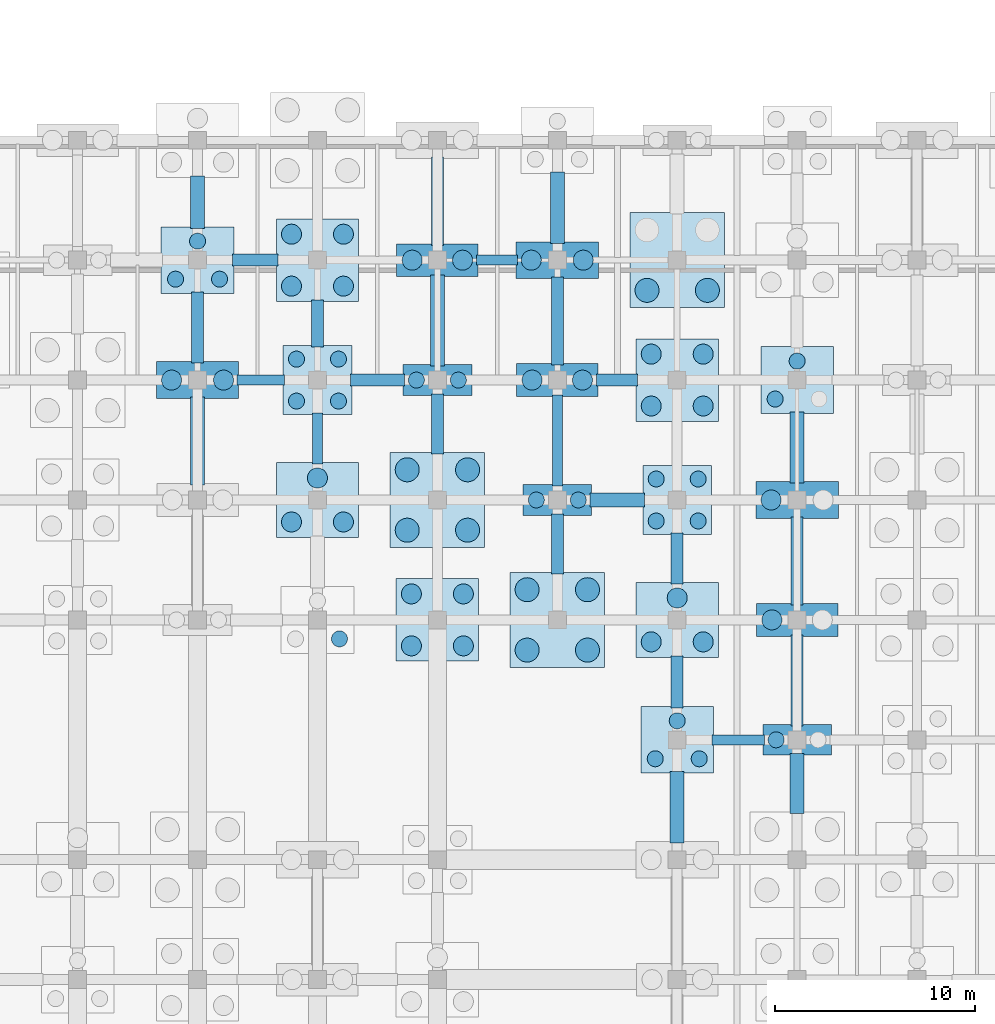
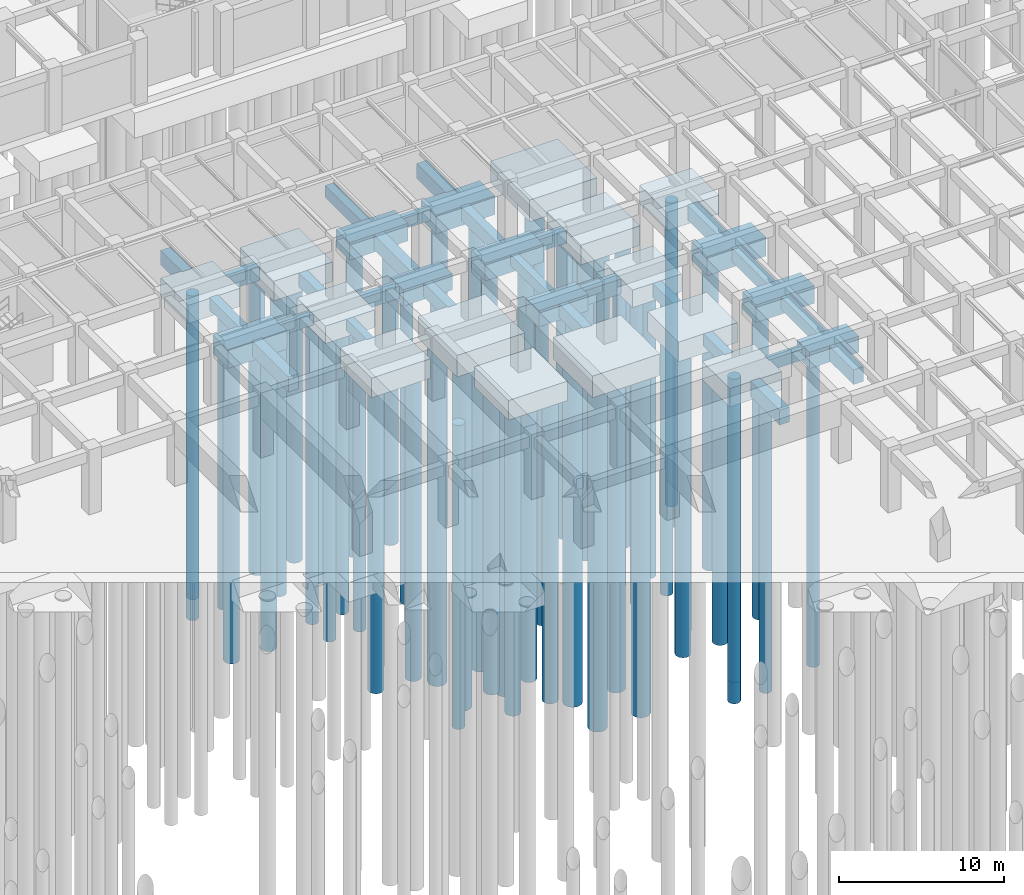
# One storey, part 14 of 54: 60 piles, 48 footings.
"""IFC4 building model written with IfcOpenShell, lengths in metres."""

from ifc_helpers import new_model, si_unit, direction, frame, origin, origin_2d, place, context, subcontext, project, spatial, rectangle, circle, extrude, material, material_profile, profile_set, type_object, element, save


model = new_model("IFC4")

# Units and contexts
model_context = context("Model", 3, precision=1e-05, world=origin(), true_north=direction((0.0, 1.0)))
body_context = subcontext(model_context, "Body", "Model", "MODEL_VIEW")
ifc_project = project(units=[si_unit("LENGTHUNIT", "METRE"), si_unit("AREAUNIT", "SQUARE_METRE"), si_unit("VOLUMEUNIT", "CUBIC_METRE"), si_unit("PLANEANGLEUNIT", "RADIAN"), si_unit("MASSUNIT", "GRAM", prefix="KILO"), si_unit("THERMODYNAMICTEMPERATUREUNIT", "KELVIN"), si_unit("POWERUNIT", "WATT")], contexts=[model_context])

# Site, building, storey
site_placement = place(None, origin())
site = spatial("IfcSite", under=ifc_project, at=site_placement, CompositionType="ELEMENT")
building_placement = place(site_placement, origin())
building = spatial("IfcBuilding", under=site, at=building_placement, Name="Phaisarnlok Congress Hotel", CompositionType="ELEMENT")
storey_placement = place(building_placement, frame((0.0, 0.0, -4.800048828125)))
storey = spatial("IfcBuildingStorey", under=building, at=storey_placement, Name="B01", CompositionType="ELEMENT", Elevation=-4.800048828125)

# Footings
ifc_material_1 = material(Name="Concrete C40/50", Category="concrete")
footing_type_1 = type_object("IfcFootingType", Name="CAP-2P-A", PredefinedType="PILE_CAP", material=ifc_material_1)
for number, where, z_axis, x_axis, name in (
    (1, (108.0, 84.0, -1.69970703125), (0.0, 0.0, 1.0), (1.0, 0.0, 0.0), "Pile cap PC-01 at (108,84)"),
    (2, (114.0, 78.0, -1.69970703125), (0.0, 0.0, 1.0), (1.0, 0.0, 0.0), "Pile cap PC-01 at (114,78)"),
    (3, (126.0, 66.0, -1.69970703125), (0.0, 0.0, 1.0), (1.0, 0.0, 0.0), "Pile cap PC-01 at (126,66)"),
):
    element("IfcFooting", number, at=place(storey_placement, frame(where, z_axis=z_axis, x_axis=x_axis)), inside=storey, type_object=footing_type_1, Name=name, PredefinedType="PILE_CAP", context=body_context, shape_type="SweptSolid", body=[
        extrude(rectangle(XDim=3.43994140625, YDim=1.5400390625, at=origin_2d()), origin(), (0.0, 0.0, 1.0), 1.199951171875),
    ])
footing_type_2 = type_object("IfcFootingType", Name="CAP-2P-B", PredefinedType="PILE_CAP", material=ifc_material_1)
for number, where, z_axis, x_axis, name in (
    (4, (108.0, 90.0, -1.7998046875), (0.0, 0.0, 1.0), (1.0, 0.0, 0.0), "Pile cap PC-02 at (108,90)"),
    (5, (114.0, 84.0, -1.7998046875), (0.0, 0.0, 1.0), (1.0, 0.0, 0.0), "Pile cap PC-02 at (114,84)"),
    (6, (126.0, 72.0, -1.7998046875), (0.0, 0.0, 1.0), (1.0, 0.0, 0.0), "Pile cap PC-02 at (126,72)"),
):
    element("IfcFooting", number, at=place(storey_placement, frame(where, z_axis=z_axis, x_axis=x_axis)), inside=storey, type_object=footing_type_2, Name=name, PredefinedType="PILE_CAP", context=body_context, shape_type="SweptSolid", body=[
        extrude(rectangle(XDim=4.080078125, YDim=1.639892578125, at=origin_2d()), origin(), (0.0, 0.0, 1.0), 1.300048828125),
    ])
footing_type_3 = type_object("IfcFootingType", Name="CAP-2P-C", PredefinedType="PILE_CAP", material=ifc_material_1)
for number, where, z_axis, x_axis, name in (
    (7, (96.0, 84.0, -1.89990234375), (0.0, 0.0, 1.0), (1.0, 0.0, 0.0), "Pile cap PC-03 at (96,84)"),
    (8, (114.0, 90.0, -1.89990234375), (0.0, 0.0, 1.0), (1.0, 0.0, 0.0), "Pile cap PC-03 at (114,90)"),
    (9, (126.0, 78.0, -1.89990234375), (0.0, 0.0, 1.0), (1.0, 0.0, 0.0), "Pile cap PC-03 at (126,78)"),
):
    element("IfcFooting", number, at=place(storey_placement, frame(where, z_axis=z_axis, x_axis=x_axis)), inside=storey, type_object=footing_type_3, Name=name, PredefinedType="PILE_CAP", context=body_context, shape_type="SweptSolid", body=[
        extrude(rectangle(XDim=4.1201171875, YDim=1.840087890625, at=origin_2d()), origin(), (0.0, 0.0, 1.0), 1.39990234375),
    ])
footing_type_4 = type_object("IfcFootingType", Name="CAP-3P-A", PredefinedType="PILE_CAP", material=ifc_material_1)
for number, where, z_axis, x_axis, name in (
    (10, (96.0, 90.0, -1.85009765625), (0.0, 0.0, 1.0), (1.0, 0.0, 0.0), "Pile cap PC-04 at (96,90)"),
    (11, (120.0, 66.0, -1.85009765625), (0.0, 0.0, 1.0), (1.0, 0.0, 0.0), "Pile cap PC-04 at (120,66)"),
    (12, (126.0, 84.0, -1.85009765625), (0.0, 0.0, 1.0), (1.0, 0.0, 0.0), "Pile cap PC-04 at (126,84)"),
):
    element("IfcFooting", number, at=place(storey_placement, frame(where, z_axis=z_axis, x_axis=x_axis)), inside=storey, type_object=footing_type_4, Name=name, PredefinedType="PILE_CAP", context=body_context, shape_type="SweptSolid", body=[
        extrude(rectangle(XDim=3.639892578125, YDim=3.340087890625, at=origin_2d()), origin(), (0.0, 0.0, 1.0), 1.35009765625),
    ])
footing_type_5 = type_object("IfcFootingType", Name="CAP-3P-B", PredefinedType="PILE_CAP", material=ifc_material_1)
for number, where, z_axis, x_axis, name in (
    (13, (102.0, 78.0, -1.94970703125), (0.0, 0.0, 1.0), (1.0, 0.0, 0.0), "Pile cap PC-05 at (102,78)"),
    (14, (120.0, 72.0, -1.94970703125), (0.0, 0.0, 1.0), (1.0, 0.0, 0.0), "Pile cap PC-05 at (120,72)"),
):
    element("IfcFooting", number, at=place(storey_placement, frame(where, z_axis=z_axis, x_axis=x_axis)), inside=storey, type_object=footing_type_5, Name=name, PredefinedType="PILE_CAP", context=body_context, shape_type="SweptSolid", body=[
        extrude(rectangle(XDim=4.1201171875, YDim=3.739990234375, at=origin_2d()), origin(), (0.0, 0.0, 1.0), 1.449951171875),
    ])
footing_type_6 = type_object("IfcFootingType", Name="CAP-4P-A", PredefinedType="PILE_CAP", material=ifc_material_1)
for number, where, z_axis, x_axis, name in (
    (15, (102.0, 84.0, -1.7998046875), (0.0, 0.0, 1.0), (1.0, 0.0, 0.0), "Pile cap PC-06 at (102,84)"),
    (16, (120.0, 78.0, -1.7998046875), (0.0, 0.0, 1.0), (1.0, 0.0, 0.0), "Pile cap PC-06 at (120,78)"),
):
    element("IfcFooting", number, at=place(storey_placement, frame(where, z_axis=z_axis, x_axis=x_axis)), inside=storey, type_object=footing_type_6, Name=name, PredefinedType="PILE_CAP", context=body_context, shape_type="SweptSolid", body=[
        extrude(rectangle(XDim=3.43994140625, YDim=3.43994140625, at=origin_2d()), origin(), (0.0, 0.0, 1.0), 1.300048828125),
    ])
footing_type_7 = type_object("IfcFootingType", Name="CAP-4P-B", PredefinedType="PILE_CAP", material=ifc_material_1)
for number, where, z_axis, x_axis, name in (
    (17, (102.0, 90.0, -1.94970703125), (0.0, 0.0, 1.0), (1.0, 0.0, 0.0), "Pile cap PC-07 at (102,90)"),
    (18, (108.0, 72.0, -1.94970703125), (0.0, 0.0, 1.0), (1.0, 0.0, 0.0), "Pile cap PC-07 at (108,72)"),
    (19, (120.0, 84.0, -1.94970703125), (0.0, 0.0, 1.0), (1.0, 0.0, 0.0), "Pile cap PC-07 at (120,84)"),
):
    element("IfcFooting", number, at=place(storey_placement, frame(where, z_axis=z_axis, x_axis=x_axis)), inside=storey, type_object=footing_type_7, Name=name, PredefinedType="PILE_CAP", context=body_context, shape_type="SweptSolid", body=[
        extrude(rectangle(XDim=4.1201171875, YDim=4.1201171875, at=origin_2d()), origin(), (0.0, 0.0, 1.0), 1.449951171875),
    ])
footing_type_8 = type_object("IfcFootingType", Name="CAP-4P-C", PredefinedType="PILE_CAP", material=ifc_material_1)
for number, where, z_axis, x_axis, name in (
    (20, (108.0, 78.0, -2.10009765625), (0.0, 0.0, 1.0), (1.0, 0.0, 0.0), "Pile cap PC-08 at (108,78)"),
    (21, (114.0, 72.0, -2.10009765625), (0.0, 0.0, 1.0), (1.0, 0.0, 0.0), "Pile cap PC-08 at (114,72)"),
    (22, (120.0, 90.0, -2.10009765625), (0.0, 0.0, 1.0), (1.0, 0.0, 0.0), "Pile cap PC-08 at (120,90)"),
):
    element("IfcFooting", number, at=place(storey_placement, frame(where, z_axis=z_axis, x_axis=x_axis)), inside=storey, type_object=footing_type_8, Name=name, PredefinedType="PILE_CAP", context=body_context, shape_type="SweptSolid", body=[
        extrude(rectangle(XDim=4.719970703125, YDim=4.760009765625, at=origin_2d()), origin(), (0.0, 0.0, 1.0), 1.60009765625),
    ])
ifc_material_profile_1 = material_profile(ifc_material_1, rectangle(XDim=0.5, YDim=0.800048828125, at=origin_2d()), Name="FB-500x800")
ifc_profile_set_1 = profile_set([ifc_material_profile_1], Name="Concrete C40/50")
footing_type_9 = type_object("IfcFootingType", Name="FB-500x800", PredefinedType="FOOTING_BEAM", material=ifc_profile_set_1)
footing_1_placement = place(storey_placement, frame((97.985107421875, 84.0, -0.89990234375), z_axis=(1.0, 0.0, 0.0), x_axis=(0.0, 1.0, 0.0)))
element("IfcFooting", 23, at=footing_1_placement, inside=storey, type_object=footing_type_9, Name="Ground tie beam FB-01", PredefinedType="FOOTING_BEAM", context=body_context, shape_type="SweptSolid", body=[
    extrude(rectangle(XDim=0.5, YDim=0.800048828125, at=origin_2d()), origin(), (0.0, 0.0, 1.0), 2.369873046875),
])
footing_2_placement = place(storey_placement, frame((102.0, 79.794921875, -0.89990234375), z_axis=(0.0, 1.0, 0.0), x_axis=(-1.0, 0.0, 0.0)))
element("IfcFooting", 24, at=footing_2_placement, inside=storey, type_object=footing_type_9, Name="Ground tie beam FB-01", PredefinedType="FOOTING_BEAM", context=body_context, shape_type="SweptSolid", body=[
    extrude(rectangle(XDim=0.5, YDim=0.800048828125, at=origin_2d()), origin(), (0.0, 0.0, 1.0), 2.56005859375),
])
footing_3_placement = place(storey_placement, frame((109.965087890625, 90.0, -0.89990234375), z_axis=(1.0, 0.0, 0.0), x_axis=(0.0, 1.0, 0.0)))
element("IfcFooting", 25, at=footing_3_placement, inside=storey, type_object=footing_type_9, Name="Ground tie beam FB-01", PredefinedType="FOOTING_BEAM", context=body_context, shape_type="SweptSolid", body=[
    extrude(rectangle(XDim=0.5, YDim=0.800048828125, at=origin_2d()), origin(), (0.0, 0.0, 1.0), 2.0498046875),
])
footing_4_placement = place(storey_placement, frame((114.0, 78.695068359375, -0.89990234375), z_axis=(0.0, 1.0, 0.0), x_axis=(-1.0, 0.0, 0.0)))
element("IfcFooting", 26, at=footing_4_placement, inside=storey, type_object=footing_type_9, Name="Ground tie beam FB-01", PredefinedType="FOOTING_BEAM", context=body_context, shape_type="SweptSolid", body=[
    extrude(rectangle(XDim=0.5, YDim=0.800048828125, at=origin_2d()), origin(), (0.0, 0.0, 1.0), 4.559814453125),
])
footing_5_placement = place(storey_placement, frame((121.7451171875, 66.0, -0.89990234375), z_axis=(1.0, 0.0, 0.0), x_axis=(0.0, 1.0, 0.0)))
element("IfcFooting", 27, at=footing_5_placement, inside=storey, type_object=footing_type_9, Name="Ground tie beam FB-01", PredefinedType="FOOTING_BEAM", context=body_context, shape_type="SweptSolid", body=[
    extrude(rectangle(XDim=0.5, YDim=0.800048828125, at=origin_2d()), origin(), (0.0, 0.0, 1.0), 2.60986328125),
])
ifc_material_profile_2 = material_profile(ifc_material_1, rectangle(XDim=0.60009765625, YDim=1.0, at=origin_2d()), Name="FB-600x1000")
ifc_profile_set_2 = profile_set([ifc_material_profile_2], Name="Concrete C40/50")
footing_type_10 = type_object("IfcFootingType", Name="FB-600x1000", PredefinedType="FOOTING_BEAM", material=ifc_profile_set_2)
footing_6_placement = place(storey_placement, frame((97.7451171875, 90.0, -1.0), z_axis=(1.0, 0.0, 0.0), x_axis=(0.0, 1.0, 0.0)))
element("IfcFooting", 28, at=footing_6_placement, inside=storey, type_object=footing_type_10, Name="Ground tie beam FB-03", PredefinedType="FOOTING_BEAM", context=body_context, shape_type="SweptSolid", body=[
    extrude(rectangle(XDim=0.60009765625, YDim=1.0, at=origin_2d()), origin(), (0.0, 0.0, 1.0), 2.269775390625),
])
footing_7_placement = place(storey_placement, frame((102.0, 85.64501953125, -1.0), z_axis=(0.0, 1.0, 0.0), x_axis=(-1.0, 0.0, 0.0)))
element("IfcFooting", 29, at=footing_7_placement, inside=storey, type_object=footing_type_10, Name="Ground tie beam FB-03", PredefinedType="FOOTING_BEAM", context=body_context, shape_type="SweptSolid", body=[
    extrude(rectangle(XDim=0.60009765625, YDim=1.0, at=origin_2d()), origin(), (0.0, 0.0, 1.0), 2.369873046875),
])
for number, where, z_axis, x_axis, name in (
    (30, (108.0, 80.304931640625, -1.0), (0.0, 1.0, 0.0), (-1.0, 0.0, 0.0), "Ground tie beam FB-03"),
    (31, (114.0, 74.304931640625, -1.0), (0.0, 1.0, 0.0), (-1.0, 0.0, 0.0), "Ground tie beam FB-03"),
):
    element("IfcFooting", number, at=place(storey_placement, frame(where, z_axis=z_axis, x_axis=x_axis)), inside=storey, type_object=footing_type_10, Name=name, PredefinedType="FOOTING_BEAM", context=body_context, shape_type="SweptSolid", body=[
        extrude(rectangle(XDim=0.60009765625, YDim=1.0, at=origin_2d()), origin(), (0.0, 0.0, 1.0), 3.0),
    ])
footing_8_placement = place(storey_placement, frame((114.0, 84.7451171875, -1.0), z_axis=(0.0, 1.0, 0.0), x_axis=(-1.0, 0.0, 0.0)))
element("IfcFooting", 32, at=footing_8_placement, inside=storey, type_object=footing_type_10, Name="Ground tie beam FB-03", PredefinedType="FOOTING_BEAM", context=body_context, shape_type="SweptSolid", body=[
    extrude(rectangle(XDim=0.60009765625, YDim=1.0, at=origin_2d()), origin(), (0.0, 0.0, 1.0), 4.409912109375),
])
footing_9_placement = place(storey_placement, frame((120.0, 73.794921875, -1.0), z_axis=(0.0, 1.0, 0.0), x_axis=(-1.0, 0.0, 0.0)))
element("IfcFooting", 33, at=footing_9_placement, inside=storey, type_object=footing_type_10, Name="Ground tie beam FB-03", PredefinedType="FOOTING_BEAM", context=body_context, shape_type="SweptSolid", body=[
    extrude(rectangle(XDim=0.60009765625, YDim=1.0, at=origin_2d()), origin(), (0.0, 0.0, 1.0), 2.56005859375),
])
footing_10_placement = place(storey_placement, frame((126.0, 72.7451171875, -1.0), z_axis=(0.0, 1.0, 0.0), x_axis=(-1.0, 0.0, 0.0)))
element("IfcFooting", 34, at=footing_10_placement, inside=storey, type_object=footing_type_10, Name="Ground tie beam FB-03", PredefinedType="FOOTING_BEAM", context=body_context, shape_type="SweptSolid", body=[
    extrude(rectangle(XDim=0.60009765625, YDim=1.0, at=origin_2d()), origin(), (0.0, 0.0, 1.0), 4.409912109375),
])
ifc_material_profile_3 = material_profile(ifc_material_1, rectangle(XDim=0.60009765625, YDim=0.89990234375, at=origin_2d()), Name="FB-600x900")
ifc_profile_set_3 = profile_set([ifc_material_profile_3], Name="Concrete C40/50")
footing_type_11 = type_object("IfcFootingType", Name="FB-600x900", PredefinedType="FOOTING_BEAM", material=ifc_profile_set_3)
footing_11_placement = place(storey_placement, frame((96.0, 84.844970703125, -0.949951171875), z_axis=(0.0, 1.0, 0.0), x_axis=(-1.0, 0.0, 0.0)))
element("IfcFooting", 35, at=footing_11_placement, inside=storey, type_object=footing_type_11, Name="Ground tie beam FB-02", PredefinedType="FOOTING_BEAM", context=body_context, shape_type="SweptSolid", body=[
    extrude(rectangle(XDim=0.60009765625, YDim=0.89990234375, at=origin_2d()), origin(), (0.0, 0.0, 1.0), 3.56005859375),
])
footing_12_placement = place(storey_placement, frame((103.64501953125, 84.0, -0.949951171875), z_axis=(1.0, 0.0, 0.0), x_axis=(0.0, 1.0, 0.0)))
element("IfcFooting", 36, at=footing_12_placement, inside=storey, type_object=footing_type_11, Name="Ground tie beam FB-02", PredefinedType="FOOTING_BEAM", context=body_context, shape_type="SweptSolid", body=[
    extrude(rectangle(XDim=0.60009765625, YDim=0.89990234375, at=origin_2d()), origin(), (0.0, 0.0, 1.0), 2.7099609375),
])
footing_13_placement = place(storey_placement, frame((108.0, 90.7451171875, -0.949951171875), z_axis=(0.0, 1.0, 0.0), x_axis=(-1.0, 0.0, 0.0)))
element("IfcFooting", 37, at=footing_13_placement, inside=storey, type_object=footing_type_11, Name="Ground tie beam FB-02", PredefinedType="FOOTING_BEAM", context=body_context, shape_type="SweptSolid", body=[
    extrude(rectangle(XDim=0.60009765625, YDim=0.89990234375, at=origin_2d()), origin(), (0.0, 0.0, 1.0), 4.409912109375),
])
footing_14_placement = place(storey_placement, frame((115.965087890625, 84.0, -0.949951171875), z_axis=(1.0, 0.0, 0.0), x_axis=(0.0, 1.0, 0.0)))
element("IfcFooting", 38, at=footing_14_placement, inside=storey, type_object=footing_type_11, Name="Ground tie beam FB-02", PredefinedType="FOOTING_BEAM", context=body_context, shape_type="SweptSolid", body=[
    extrude(rectangle(XDim=0.60009765625, YDim=0.89990234375, at=origin_2d()), origin(), (0.0, 0.0, 1.0), 2.0498046875),
])
footing_15_placement = place(storey_placement, frame((120.0, 67.594970703125, -0.949951171875), z_axis=(0.0, 1.0, 0.0), x_axis=(-1.0, 0.0, 0.0)))
element("IfcFooting", 39, at=footing_15_placement, inside=storey, type_object=footing_type_11, Name="Ground tie beam FB-02", PredefinedType="FOOTING_BEAM", context=body_context, shape_type="SweptSolid", body=[
    extrude(rectangle(XDim=0.60009765625, YDim=0.89990234375, at=origin_2d()), origin(), (0.0, 0.0, 1.0), 2.610107421875),
])
footing_16_placement = place(storey_placement, frame((126.0, 66.695068359375, -0.949951171875), z_axis=(0.0, 1.0, 0.0), x_axis=(-1.0, 0.0, 0.0)))
element("IfcFooting", 40, at=footing_16_placement, inside=storey, type_object=footing_type_11, Name="Ground tie beam FB-02", PredefinedType="FOOTING_BEAM", context=body_context, shape_type="SweptSolid", body=[
    extrude(rectangle(XDim=0.60009765625, YDim=0.89990234375, at=origin_2d()), origin(), (0.0, 0.0, 1.0), 4.559814453125),
])
ifc_material_profile_4 = material_profile(ifc_material_1, rectangle(XDim=0.699951171875, YDim=1.10009765625, at=origin_2d()), Name="FB-700x1100")
ifc_profile_set_4 = profile_set([ifc_material_profile_4], Name="Concrete C40/50")
footing_type_12 = type_object("IfcFootingType", Name="FB-700x1100", PredefinedType="FOOTING_BEAM", material=ifc_profile_set_4)
footing_17_placement = place(storey_placement, frame((96.0, 78.7451171875, -1.050048828125), z_axis=(0.0, 1.0, 0.0), x_axis=(-1.0, 0.0, 0.0)))
element("IfcFooting", 41, at=footing_17_placement, inside=storey, type_object=footing_type_12, Name="Ground tie beam FB-04", PredefinedType="FOOTING_BEAM", context=body_context, shape_type="SweptSolid", body=[
    extrude(rectangle(XDim=0.699951171875, YDim=1.10009765625, at=origin_2d()), origin(), (0.0, 0.0, 1.0), 4.409912109375),
])
footing_18_placement = place(storey_placement, frame((96.0, 91.594970703125, -1.050048828125), z_axis=(0.0, 1.0, 0.0), x_axis=(-1.0, 0.0, 0.0)))
element("IfcFooting", 42, at=footing_18_placement, inside=storey, type_object=footing_type_12, Name="Ground tie beam FB-04", PredefinedType="FOOTING_BEAM", context=body_context, shape_type="SweptSolid", body=[
    extrude(rectangle(XDim=0.699951171875, YDim=1.10009765625, at=origin_2d()), origin(), (0.0, 0.0, 1.0), 2.610107421875),
])
footing_19_placement = place(storey_placement, frame((108.0, 84.695068359375, -1.050048828125), z_axis=(0.0, 1.0, 0.0), x_axis=(-1.0, 0.0, 0.0)))
element("IfcFooting", 43, at=footing_19_placement, inside=storey, type_object=footing_type_12, Name="Ground tie beam FB-04", PredefinedType="FOOTING_BEAM", context=body_context, shape_type="SweptSolid", body=[
    extrude(rectangle(XDim=0.699951171875, YDim=1.10009765625, at=origin_2d()), origin(), (0.0, 0.0, 1.0), 4.559814453125),
])
footing_20_placement = place(storey_placement, frame((115.64501953125, 78.0, -1.050048828125), z_axis=(1.0, 0.0, 0.0), x_axis=(0.0, 1.0, 0.0)))
element("IfcFooting", 44, at=footing_20_placement, inside=storey, type_object=footing_type_12, Name="Ground tie beam FB-04", PredefinedType="FOOTING_BEAM", context=body_context, shape_type="SweptSolid", body=[
    extrude(rectangle(XDim=0.699951171875, YDim=1.10009765625, at=origin_2d()), origin(), (0.0, 0.0, 1.0), 2.7099609375),
])
for number, where, z_axis, x_axis, name in (
    (45, (114.0, 90.844970703125, -1.050048828125), (0.0, 1.0, 0.0), (-1.0, 0.0, 0.0), "Ground tie beam FB-04"),
    (46, (120.0, 60.844970703125, -1.050048828125), (0.0, 1.0, 0.0), (-1.0, 0.0, 0.0), "Ground tie beam FB-04"),
):
    element("IfcFooting", number, at=place(storey_placement, frame(where, z_axis=z_axis, x_axis=x_axis)), inside=storey, type_object=footing_type_12, Name=name, PredefinedType="FOOTING_BEAM", context=body_context, shape_type="SweptSolid", body=[
        extrude(rectangle(XDim=0.699951171875, YDim=1.10009765625, at=origin_2d()), origin(), (0.0, 0.0, 1.0), 3.56005859375),
    ])
footing_21_placement = place(storey_placement, frame((126.0, 62.304931640625, -1.050048828125), z_axis=(0.0, 1.0, 0.0), x_axis=(-1.0, 0.0, 0.0)))
element("IfcFooting", 47, at=footing_21_placement, inside=storey, type_object=footing_type_12, Name="Ground tie beam FB-04", PredefinedType="FOOTING_BEAM", context=body_context, shape_type="SweptSolid", body=[
    extrude(rectangle(XDim=0.699951171875, YDim=1.10009765625, at=origin_2d()), origin(), (0.0, 0.0, 1.0), 3.0),
])
footing_22_placement = place(storey_placement, frame((126.0, 78.844970703125, -1.050048828125), z_axis=(0.0, 1.0, 0.0), x_axis=(-1.0, 0.0, 0.0)))
element("IfcFooting", 48, at=footing_22_placement, inside=storey, type_object=footing_type_12, Name="Ground tie beam FB-04", PredefinedType="FOOTING_BEAM", context=body_context, shape_type="SweptSolid", body=[
    extrude(rectangle(XDim=0.699951171875, YDim=1.10009765625, at=origin_2d()), origin(), (0.0, 0.0, 1.0), 3.56005859375),
])

# Piles
ifc_material_2 = material(Name="Concrete C35/45", Category="concrete")
ifc_material_profile_5 = material_profile(ifc_material_2, circle(Radius=0.5, at=origin_2d()), Name="BORED PILE D1000")
ifc_profile_set_5 = profile_set([ifc_material_profile_5], Name="Concrete C35/45")
pile_type_1 = type_object("IfcPileType", Name="PILE-D1000", PredefinedType="BORED", material=ifc_profile_set_5)
for number, where, z_axis, x_axis, name in (
    (49, (94.699951171875, 84.0, -1.800048828125), (0.0, 0.0, -1.0), (1.0, 0.0, 0.0), "Bored pile PL-02 (FTG-B01-096-084-1)"),
    (50, (97.300048828125, 84.0, -1.800048828125), (0.0, 0.0, -1.0), (1.0, 0.0, 0.0), "Bored pile PL-02 (FTG-B01-096-084-2)"),
):
    element("IfcPile", number, at=place(storey_placement, frame(where, z_axis=z_axis, x_axis=x_axis)), inside=storey, type_object=pile_type_1, Name=name, PredefinedType="BORED", context=body_context, shape_type="SweptSolid", body=[
        extrude(circle(Radius=0.5, at=origin_2d()), origin(), (0.0, 0.0, 1.0), 22.39990234375),
    ])
for number, where, z_axis, x_axis, name in (
    (51, (100.699951171875, 76.89990234375, -1.849853515625), (0.0, 0.0, -1.0), (1.0, 0.0, 0.0), "Bored pile PL-02 (FTG-B01-102-078-1)"),
    (52, (103.300048828125, 76.89990234375, -1.849853515625), (0.0, 0.0, -1.0), (1.0, 0.0, 0.0), "Bored pile PL-02 (FTG-B01-102-078-2)"),
    (53, (102.0, 79.10009765625, -1.849853515625), (0.0, 0.0, -1.0), (1.0, 0.0, 0.0), "Bored pile PL-02 (FTG-B01-102-078-3)"),
    (54, (100.699951171875, 88.699951171875, -1.849853515625), (0.0, 0.0, -1.0), (1.0, 0.0, 0.0), "Bored pile PL-02 (FTG-B01-102-090-1)"),
    (55, (103.300048828125, 88.699951171875, -1.849853515625), (0.0, 0.0, -1.0), (1.0, 0.0, 0.0), "Bored pile PL-02 (FTG-B01-102-090-2)"),
    (56, (100.699951171875, 91.300048828125, -1.849853515625), (0.0, 0.0, -1.0), (1.0, 0.0, 0.0), "Bored pile PL-02 (FTG-B01-102-090-3)"),
    (57, (103.300048828125, 91.300048828125, -1.849853515625), (0.0, 0.0, -1.0), (1.0, 0.0, 0.0), "Bored pile PL-02 (FTG-B01-102-090-4)"),
    (58, (106.699951171875, 70.699951171875, -1.849853515625), (0.0, 0.0, -1.0), (1.0, 0.0, 0.0), "Bored pile PL-02 (FTG-B01-108-072-1)"),
    (59, (109.300048828125, 70.699951171875, -1.849853515625), (0.0, 0.0, -1.0), (1.0, 0.0, 0.0), "Bored pile PL-02 (FTG-B01-108-072-2)"),
    (60, (106.699951171875, 73.300048828125, -1.849853515625), (0.0, 0.0, -1.0), (1.0, 0.0, 0.0), "Bored pile PL-02 (FTG-B01-108-072-3)"),
    (61, (109.300048828125, 73.300048828125, -1.849853515625), (0.0, 0.0, -1.0), (1.0, 0.0, 0.0), "Bored pile PL-02 (FTG-B01-108-072-4)"),
):
    element("IfcPile", number, at=place(storey_placement, frame(where, z_axis=z_axis, x_axis=x_axis)), inside=storey, type_object=pile_type_1, Name=name, PredefinedType="BORED", context=body_context, shape_type="SweptSolid", body=[
        extrude(circle(Radius=0.5, at=origin_2d()), origin(), (0.0, 0.0, 1.0), 22.35009765625),
    ])
for number, where, z_axis, x_axis, name in (
    (62, (106.739990234375, 90.0, -1.699951171875), (0.0, 0.0, -1.0), (1.0, 0.0, 0.0), "Bored pile PL-02 (FTG-B01-108-090-1)"),
    (63, (109.260009765625, 90.0, -1.699951171875), (0.0, 0.0, -1.0), (1.0, 0.0, 0.0), "Bored pile PL-02 (FTG-B01-108-090-2)"),
    (64, (112.739990234375, 84.0, -1.699951171875), (0.0, 0.0, -1.0), (1.0, 0.0, 0.0), "Bored pile PL-02 (FTG-B01-114-084-1)"),
    (65, (115.260009765625, 84.0, -1.699951171875), (0.0, 0.0, -1.0), (1.0, 0.0, 0.0), "Bored pile PL-02 (FTG-B01-114-084-2)"),
):
    element("IfcPile", number, at=place(storey_placement, frame(where, z_axis=z_axis, x_axis=x_axis)), inside=storey, type_object=pile_type_1, Name=name, PredefinedType="BORED", context=body_context, shape_type="SweptSolid", body=[
        extrude(circle(Radius=0.5, at=origin_2d()), origin(), (0.0, 0.0, 1.0), 22.5),
    ])
for number, where, z_axis, x_axis, name in (
    (66, (112.699951171875, 90.0, -1.800048828125), (0.0, 0.0, -1.0), (1.0, 0.0, 0.0), "Bored pile PL-02 (FTG-B01-114-090-1)"),
    (67, (115.300048828125, 90.0, -1.800048828125), (0.0, 0.0, -1.0), (1.0, 0.0, 0.0), "Bored pile PL-02 (FTG-B01-114-090-2)"),
):
    element("IfcPile", number, at=place(storey_placement, frame(where, z_axis=z_axis, x_axis=x_axis)), inside=storey, type_object=pile_type_1, Name=name, PredefinedType="BORED", context=body_context, shape_type="SweptSolid", body=[
        extrude(circle(Radius=0.5, at=origin_2d()), origin(), (0.0, 0.0, 1.0), 22.39990234375),
    ])
for number, where, z_axis, x_axis, name in (
    (68, (118.699951171875, 70.89990234375, -1.849853515625), (0.0, 0.0, -1.0), (1.0, 0.0, 0.0), "Bored pile PL-02 (FTG-B01-120-072-1)"),
    (69, (121.300048828125, 70.89990234375, -1.849853515625), (0.0, 0.0, -1.0), (1.0, 0.0, 0.0), "Bored pile PL-02 (FTG-B01-120-072-2)"),
    (70, (120.0, 73.10009765625, -1.849853515625), (0.0, 0.0, -1.0), (1.0, 0.0, 0.0), "Bored pile PL-02 (FTG-B01-120-072-3)"),
    (71, (118.699951171875, 82.699951171875, -1.849853515625), (0.0, 0.0, -1.0), (1.0, 0.0, 0.0), "Bored pile PL-02 (FTG-B01-120-084-1)"),
    (72, (121.300048828125, 82.699951171875, -1.849853515625), (0.0, 0.0, -1.0), (1.0, 0.0, 0.0), "Bored pile PL-02 (FTG-B01-120-084-2)"),
    (73, (118.699951171875, 85.300048828125, -1.849853515625), (0.0, 0.0, -1.0), (1.0, 0.0, 0.0), "Bored pile PL-02 (FTG-B01-120-084-3)"),
    (74, (121.300048828125, 85.300048828125, -1.849853515625), (0.0, 0.0, -1.0), (1.0, 0.0, 0.0), "Bored pile PL-02 (FTG-B01-120-084-4)"),
):
    element("IfcPile", number, at=place(storey_placement, frame(where, z_axis=z_axis, x_axis=x_axis)), inside=storey, type_object=pile_type_1, Name=name, PredefinedType="BORED", context=body_context, shape_type="SweptSolid", body=[
        extrude(circle(Radius=0.5, at=origin_2d()), origin(), (0.0, 0.0, 1.0), 22.35009765625),
    ])
pile_1_placement = place(storey_placement, frame((124.739990234375, 72.0, -1.699951171875), z_axis=(0.0, 0.0, -1.0), x_axis=(1.0, 0.0, 0.0)))
element("IfcPile", 75, at=pile_1_placement, inside=storey, type_object=pile_type_1, Name="Bored pile PL-02 (FTG-B01-126-072-1)", PredefinedType="BORED", context=body_context, shape_type="SweptSolid", body=[
    extrude(circle(Radius=0.5, at=origin_2d()), origin(), (0.0, 0.0, 1.0), 22.5),
])
pile_2_placement = place(storey_placement, frame((124.699951171875, 78.0, -1.800048828125), z_axis=(0.0, 0.0, -1.0), x_axis=(1.0, 0.0, 0.0)))
element("IfcPile", 76, at=pile_2_placement, inside=storey, type_object=pile_type_1, Name="Bored pile PL-02 (FTG-B01-126-078-1)", PredefinedType="BORED", context=body_context, shape_type="SweptSolid", body=[
    extrude(circle(Radius=0.5, at=origin_2d()), origin(), (0.0, 0.0, 1.0), 22.39990234375),
])
ifc_material_profile_6 = material_profile(ifc_material_2, circle(Radius=0.60009765625, at=origin_2d()), Name="BORED PILE D1200")
ifc_profile_set_6 = profile_set([ifc_material_profile_6], Name="Concrete C35/45")
pile_type_2 = type_object("IfcPileType", Name="PILE-D1200", PredefinedType="BORED", material=ifc_profile_set_6)
for number, where, z_axis, x_axis, name in (
    (77, (106.489990234375, 76.489990234375, -2.0), (0.0, 0.0, -1.0), (1.0, 0.0, 0.0), "Bored pile PL-03 (FTG-B01-108-078-1)"),
    (78, (109.510009765625, 76.489990234375, -2.0), (0.0, 0.0, -1.0), (1.0, 0.0, 0.0), "Bored pile PL-03 (FTG-B01-108-078-2)"),
    (79, (106.489990234375, 79.510009765625, -2.0), (0.0, 0.0, -1.0), (1.0, 0.0, 0.0), "Bored pile PL-03 (FTG-B01-108-078-3)"),
    (80, (109.510009765625, 79.510009765625, -2.0), (0.0, 0.0, -1.0), (1.0, 0.0, 0.0), "Bored pile PL-03 (FTG-B01-108-078-4)"),
    (81, (112.489990234375, 70.489990234375, -2.0), (0.0, 0.0, -1.0), (1.0, 0.0, 0.0), "Bored pile PL-03 (FTG-B01-114-072-1)"),
    (82, (115.510009765625, 70.489990234375, -2.0), (0.0, 0.0, -1.0), (1.0, 0.0, 0.0), "Bored pile PL-03 (FTG-B01-114-072-2)"),
    (83, (112.489990234375, 73.510009765625, -2.0), (0.0, 0.0, -1.0), (1.0, 0.0, 0.0), "Bored pile PL-03 (FTG-B01-114-072-3)"),
    (84, (115.510009765625, 73.510009765625, -2.0), (0.0, 0.0, -1.0), (1.0, 0.0, 0.0), "Bored pile PL-03 (FTG-B01-114-072-4)"),
    (85, (118.489990234375, 88.489990234375, -2.0), (0.0, 0.0, -1.0), (1.0, 0.0, 0.0), "Bored pile PL-03 (FTG-B01-120-090-1)"),
    (86, (121.510009765625, 88.489990234375, -2.0), (0.0, 0.0, -1.0), (1.0, 0.0, 0.0), "Bored pile PL-03 (FTG-B01-120-090-2)"),
):
    element("IfcPile", number, at=place(storey_placement, frame(where, z_axis=z_axis, x_axis=x_axis)), inside=storey, type_object=pile_type_2, Name=name, PredefinedType="BORED", context=body_context, shape_type="SweptSolid", body=[
        extrude(circle(Radius=0.60009765625, at=origin_2d()), origin(), (0.0, 0.0, 1.0), 25.199951171875),
    ])
ifc_material_profile_7 = material_profile(ifc_material_2, circle(Radius=0.39990234375, at=origin_2d()), Name="BORED PILE D800")
ifc_profile_set_7 = profile_set([ifc_material_profile_7], Name="Concrete C35/45")
pile_type_3 = type_object("IfcPileType", Name="PILE-D800", PredefinedType="BORED", material=ifc_profile_set_7)
for number, where, z_axis, x_axis, name in (
    (87, (94.89990234375, 89.050048828125, -1.75), (0.0, 0.0, -1.0), (1.0, 0.0, 0.0), "Bored pile PL-01 (FTG-B01-096-090-1)"),
    (88, (97.10009765625, 89.050048828125, -1.75), (0.0, 0.0, -1.0), (1.0, 0.0, 0.0), "Bored pile PL-01 (FTG-B01-096-090-2)"),
    (89, (96.0, 90.949951171875, -1.75), (0.0, 0.0, -1.0), (1.0, 0.0, 0.0), "Bored pile PL-01 (FTG-B01-096-090-3)"),
    (90, (103.10009765625, 71.050048828125, -1.75), (0.0, 0.0, -1.0), (1.0, 0.0, 0.0), "Bored pile PL-01 (FTG-B01-102-072-2)"),
):
    element("IfcPile", number, at=place(storey_placement, frame(where, z_axis=z_axis, x_axis=x_axis)), inside=storey, type_object=pile_type_3, Name=name, PredefinedType="BORED", context=body_context, shape_type="SweptSolid", body=[
        extrude(circle(Radius=0.39990234375, at=origin_2d()), origin(), (0.0, 0.0, 1.0), 22.449951171875),
    ])
for number, where, z_axis, x_axis, name in (
    (91, (100.949951171875, 82.949951171875, -1.699951171875), (0.0, 0.0, -1.0), (1.0, 0.0, 0.0), "Bored pile PL-01 (FTG-B01-102-084-1)"),
    (92, (103.050048828125, 82.949951171875, -1.699951171875), (0.0, 0.0, -1.0), (1.0, 0.0, 0.0), "Bored pile PL-01 (FTG-B01-102-084-2)"),
    (93, (100.949951171875, 85.050048828125, -1.699951171875), (0.0, 0.0, -1.0), (1.0, 0.0, 0.0), "Bored pile PL-01 (FTG-B01-102-084-3)"),
    (94, (103.050048828125, 85.050048828125, -1.699951171875), (0.0, 0.0, -1.0), (1.0, 0.0, 0.0), "Bored pile PL-01 (FTG-B01-102-084-4)"),
):
    element("IfcPile", number, at=place(storey_placement, frame(where, z_axis=z_axis, x_axis=x_axis)), inside=storey, type_object=pile_type_3, Name=name, PredefinedType="BORED", context=body_context, shape_type="SweptSolid", body=[
        extrude(circle(Radius=0.39990234375, at=origin_2d()), origin(), (0.0, 0.0, 1.0), 22.5),
    ])
for number, where, z_axis, x_axis, name in (
    (95, (106.949951171875, 84.0, -1.599853515625), (0.0, 0.0, -1.0), (1.0, 0.0, 0.0), "Bored pile PL-01 (FTG-B01-108-084-1)"),
    (96, (109.050048828125, 84.0, -1.599853515625), (0.0, 0.0, -1.0), (1.0, 0.0, 0.0), "Bored pile PL-01 (FTG-B01-108-084-2)"),
    (97, (112.949951171875, 78.0, -1.599853515625), (0.0, 0.0, -1.0), (1.0, 0.0, 0.0), "Bored pile PL-01 (FTG-B01-114-078-1)"),
    (98, (115.050048828125, 78.0, -1.599853515625), (0.0, 0.0, -1.0), (1.0, 0.0, 0.0), "Bored pile PL-01 (FTG-B01-114-078-2)"),
):
    element("IfcPile", number, at=place(storey_placement, frame(where, z_axis=z_axis, x_axis=x_axis)), inside=storey, type_object=pile_type_3, Name=name, PredefinedType="BORED", context=body_context, shape_type="SweptSolid", body=[
        extrude(circle(Radius=0.39990234375, at=origin_2d()), origin(), (0.0, 0.0, 1.0), 22.60009765625),
    ])
for number, where, z_axis, x_axis, name in (
    (99, (118.89990234375, 65.050048828125, -1.75), (0.0, 0.0, -1.0), (1.0, 0.0, 0.0), "Bored pile PL-01 (FTG-B01-120-066-1)"),
    (100, (121.10009765625, 65.050048828125, -1.75), (0.0, 0.0, -1.0), (1.0, 0.0, 0.0), "Bored pile PL-01 (FTG-B01-120-066-2)"),
    (101, (120.0, 66.949951171875, -1.75), (0.0, 0.0, -1.0), (1.0, 0.0, 0.0), "Bored pile PL-01 (FTG-B01-120-066-3)"),
):
    element("IfcPile", number, at=place(storey_placement, frame(where, z_axis=z_axis, x_axis=x_axis)), inside=storey, type_object=pile_type_3, Name=name, PredefinedType="BORED", context=body_context, shape_type="SweptSolid", body=[
        extrude(circle(Radius=0.39990234375, at=origin_2d()), origin(), (0.0, 0.0, 1.0), 22.449951171875),
    ])
for number, where, z_axis, x_axis, name in (
    (102, (118.949951171875, 76.949951171875, -1.699951171875), (0.0, 0.0, -1.0), (1.0, 0.0, 0.0), "Bored pile PL-01 (FTG-B01-120-078-1)"),
    (103, (121.050048828125, 76.949951171875, -1.699951171875), (0.0, 0.0, -1.0), (1.0, 0.0, 0.0), "Bored pile PL-01 (FTG-B01-120-078-2)"),
    (104, (118.949951171875, 79.050048828125, -1.699951171875), (0.0, 0.0, -1.0), (1.0, 0.0, 0.0), "Bored pile PL-01 (FTG-B01-120-078-3)"),
    (105, (121.050048828125, 79.050048828125, -1.699951171875), (0.0, 0.0, -1.0), (1.0, 0.0, 0.0), "Bored pile PL-01 (FTG-B01-120-078-4)"),
):
    element("IfcPile", number, at=place(storey_placement, frame(where, z_axis=z_axis, x_axis=x_axis)), inside=storey, type_object=pile_type_3, Name=name, PredefinedType="BORED", context=body_context, shape_type="SweptSolid", body=[
        extrude(circle(Radius=0.39990234375, at=origin_2d()), origin(), (0.0, 0.0, 1.0), 22.5),
    ])
pile_3_placement = place(storey_placement, frame((124.949951171875, 66.0, -1.599853515625), z_axis=(0.0, 0.0, -1.0), x_axis=(1.0, 0.0, 0.0)))
element("IfcPile", 106, at=pile_3_placement, inside=storey, type_object=pile_type_3, Name="Bored pile PL-01 (FTG-B01-126-066-1)", PredefinedType="BORED", context=body_context, shape_type="SweptSolid", body=[
    extrude(circle(Radius=0.39990234375, at=origin_2d()), origin(), (0.0, 0.0, 1.0), 22.60009765625),
])
for number, where, z_axis, x_axis, name in (
    (107, (124.89990234375, 83.050048828125, -1.75), (0.0, 0.0, -1.0), (1.0, 0.0, 0.0), "Bored pile PL-01 (FTG-B01-126-084-1)"),
    (108, (126.0, 84.949951171875, -1.75), (0.0, 0.0, -1.0), (1.0, 0.0, 0.0), "Bored pile PL-01 (FTG-B01-126-084-3)"),
):
    element("IfcPile", number, at=place(storey_placement, frame(where, z_axis=z_axis, x_axis=x_axis)), inside=storey, type_object=pile_type_3, Name=name, PredefinedType="BORED", context=body_context, shape_type="SweptSolid", body=[
        extrude(circle(Radius=0.39990234375, at=origin_2d()), origin(), (0.0, 0.0, 1.0), 22.449951171875),
    ])

save(model, "model.ifc")
